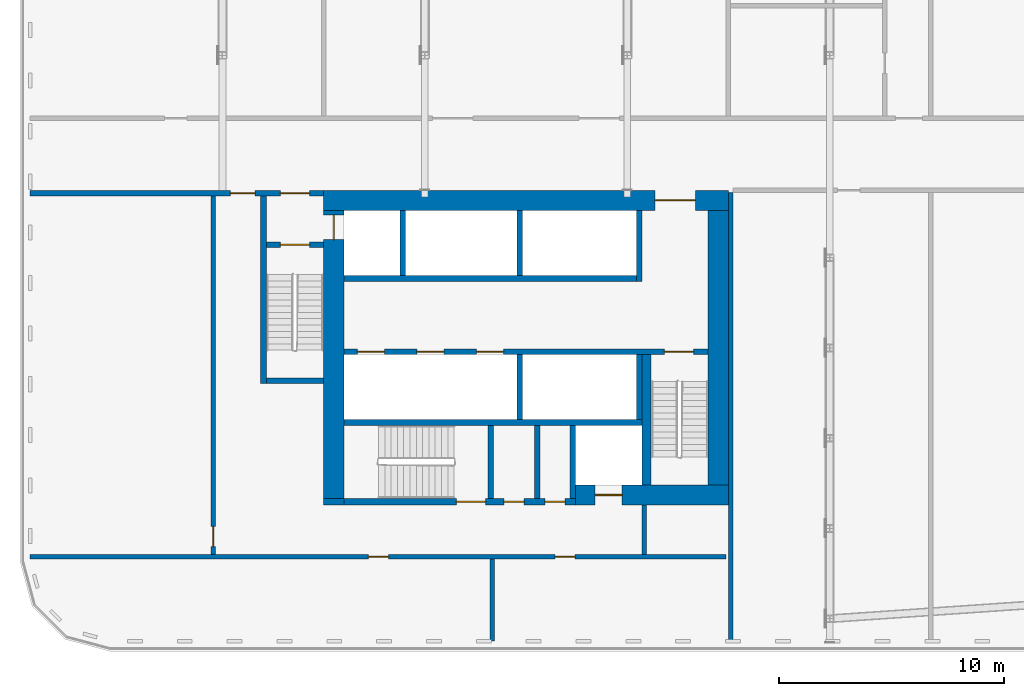
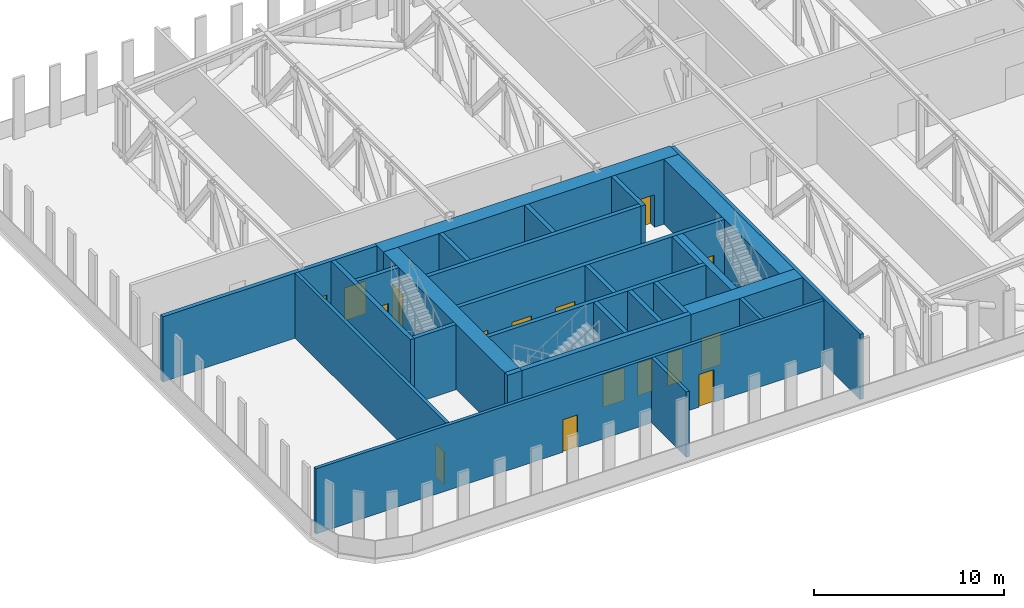
# One storey, part 6 of 22: 27 walls, 16 doors, 16 openings.
"""IFC4 building model written with IfcOpenShell, lengths in metres."""

from ifc_helpers import new_model, si_unit, direction, frame, frame_2d, origin, place, context, subcontext, project, spatial, rectangle, extrude, material, layer, layer_set, type_object, element, fill, save


model = new_model("IFC4")

# Units and contexts
model_context = context("Model", 3, precision=1e-05, world=origin(), true_north=direction((0.0, 1.0)))
body_context = subcontext(model_context, "Body", "Model", "MODEL_VIEW")
ifc_project = project(units=[si_unit("LENGTHUNIT", "METRE"), si_unit("AREAUNIT", "SQUARE_METRE"), si_unit("VOLUMEUNIT", "CUBIC_METRE"), si_unit("PLANEANGLEUNIT", "RADIAN"), si_unit("MASSUNIT", "GRAM", prefix="KILO")], contexts=[model_context])

# Site, building, storey
site_placement = place(None, origin())
site = spatial("IfcSite", under=ifc_project, at=site_placement, CompositionType="ELEMENT")
building_placement = place(site_placement, origin())
building = spatial("IfcBuilding", under=site, at=building_placement, Name="Kajstack Hotel Tower", CompositionType="ELEMENT")
storey_placement = place(building_placement, frame((0.0, 0.0, 99.60009765625)))
storey = spatial("IfcBuildingStorey", under=building, at=storey_placement, Name="L21", CompositionType="ELEMENT", Elevation=99.60009765625)

# Wall, opening, door
ifc_material_1 = material(Name="Concrete C60/75", Category="concrete")
ifc_layer_1 = layer(ifc_material_1, 0.89990234375)
ifc_layer_set_1 = layer_set([ifc_layer_1], Name="Core wall 900")
wall_type_1 = type_object("IfcWallType", Name="Core wall 900", PredefinedType="SHEAR", material=ifc_layer_set_1)
wall_1_placement = place(storey_placement, frame((-31.5, -1.949951171875, 0.0), z_axis=(0.0, 0.0, 1.0), x_axis=(1.0, 0.0, 0.0)))
wall_1 = element("IfcWall", 1, at=wall_1_placement, inside=storey, type_object=wall_type_1, Name="Core wall W RN", PredefinedType="SHEAR", context=body_context, shape_type="SweptSolid", body=[
    extrude(rectangle(XDim=18.0, YDim=0.89990234375, at=frame_2d((9.0, 0.0))), origin(), (0.0, 0.0, 1.0), 4.199951171875),
])
opening_1_placement = place(wall_1_placement, frame((14.72509765625, 0.0, 0.0)))
opening_1 = element("IfcOpeningElement", 2, at=opening_1_placement, cuts=wall_1, Name="Opening 21W06", PredefinedType="OPENING", context=body_context, shape_type="SweptSolid", body=[
    extrude(rectangle(XDim=1.800048828125, YDim=2.10009765625, at=frame_2d((0.89990234375, 1.050048828125))), frame((0.0, 0.4599609375, 0.0), z_axis=(0.0, -1.0, 0.0), x_axis=(1.0, 0.0, 0.0)), (0.0, 0.0, 1.0), 0.919921875),
])
ifc_material_2 = material(Name="Glazed steel frame, fire-rated glass", Category="steel")
door_type_1 = type_object("IfcDoorType", Name="Lobby double door 1800", OperationType="DOUBLE_DOOR_DOUBLE_SWING", PredefinedType="DOOR", material=ifc_material_2)
door_1_placement = place(opening_1_placement, origin())
door_1 = element("IfcDoor", 3, at=door_1_placement, inside=storey, type_object=door_type_1, Name="Door 21W06", OperationType="DOUBLE_DOOR_DOUBLE_SWING", OverallHeight=2.10009765625, OverallWidth=1.800048828125, PredefinedType="DOOR", context=body_context, shape_type="SweptSolid", body=[
    extrude(rectangle(XDim=1.800048828125, YDim=2.10009765625, at=frame_2d((0.89990234375, 1.050048828125))), frame((0.0, 0.02490234375, 0.0), z_axis=(0.0, -1.0, 0.0), x_axis=(1.0, 0.0, 0.0)), (0.0, 0.0, 1.0), 0.050048828125),
])
fill(opening_1, door_1)

wall_2_placement = place(storey_placement, frame((-20.300048828125, -15.050048828125, 0.0), z_axis=(0.0, 0.0, 1.0), x_axis=(1.0, 0.0, 0.0)))
wall_2 = element("IfcWall", 4, at=wall_2_placement, inside=storey, type_object=wall_type_1, Name="Core wall W RS", PredefinedType="SHEAR", context=body_context, shape_type="SweptSolid", body=[
    extrude(rectangle(XDim=6.800048828125, YDim=0.89990234375, at=frame_2d((3.39990234375, 0.0))), origin(), (0.0, 0.0, 1.0), 4.199951171875),
])
opening_2_placement = place(wall_2_placement, frame((0.875, 0.0, 0.0)))
opening_2 = element("IfcOpeningElement", 5, at=opening_2_placement, cuts=wall_2, Name="Opening LD-SV1", PredefinedType="OPENING", context=body_context, shape_type="SweptSolid", body=[
    extrude(rectangle(XDim=1.199951171875, YDim=2.10009765625, at=frame_2d((0.60009765625, 1.050048828125))), frame((0.0, 0.4599609375, 0.0), z_axis=(0.0, -1.0, 0.0), x_axis=(1.0, 0.0, 0.0)), (0.0, 0.0, 1.0), 0.919921875),
])
ifc_material_3 = material(Name="Stainless steel", Category="steel")
door_type_2 = type_object("IfcDoorType", Name="Lift landing door 1200", OperationType="SLIDING_TO_LEFT", PredefinedType="DOOR", material=ifc_material_3)
door_2_placement = place(opening_2_placement, origin())
door_2 = element("IfcDoor", 6, at=door_2_placement, inside=storey, type_object=door_type_2, Name="Landing door SV1", OperationType="SLIDING_TO_LEFT", OverallHeight=2.10009765625, OverallWidth=1.199951171875, PredefinedType="DOOR", context=body_context, shape_type="SweptSolid", body=[
    extrude(rectangle(XDim=1.199951171875, YDim=2.10009765625, at=frame_2d((0.60009765625, 1.050048828125))), frame((0.0, 0.02490234375, 0.0), z_axis=(0.0, -1.0, 0.0), x_axis=(1.0, 0.0, 0.0)), (0.0, 0.0, 1.0), 0.050048828125),
])
fill(opening_2, door_2)

# Wall
wall_3_placement = place(storey_placement, frame((-31.5, -15.35009765625, 0.0), z_axis=(0.0, 0.0, 1.0), x_axis=(1.0, 0.0, 0.0)))
element("IfcWall", 7, at=wall_3_placement, inside=storey, type_object=wall_type_1, Name="Core wall W RSW", PredefinedType="SHEAR", context=body_context, shape_type="SweptSolid", body=[
    extrude(rectangle(XDim=0.89990234375, YDim=0.300048828125, at=frame_2d((0.449951171875, 0.0))), origin(), (0.0, 0.0, 1.0), 4.199951171875),
])

# Wall, opening, door
wall_4_placement = place(storey_placement, frame((-31.050048828125, -15.199951171875, 0.0), z_axis=(0.0, 0.0, 1.0), x_axis=(0.0, 1.0, 0.0)))
wall_4 = element("IfcWall", 8, at=wall_4_placement, inside=storey, type_object=wall_type_1, Name="Core wall W RW", PredefinedType="SHEAR", context=body_context, shape_type="SweptSolid", body=[
    extrude(rectangle(XDim=12.800048828125, YDim=0.89990234375, at=frame_2d((6.39990234375, 0.0))), origin(), (0.0, 0.0, 1.0), 4.199951171875),
])
opening_3_placement = place(wall_4_placement, frame((11.5, 0.0, 0.0)))
opening_3 = element("IfcOpeningElement", 9, at=opening_3_placement, cuts=wall_4, Name="Opening LD-FF1", PredefinedType="OPENING", context=body_context, shape_type="SweptSolid", body=[
    extrude(rectangle(XDim=1.10009765625, YDim=2.10009765625, at=frame_2d((0.550048828125, 1.050048828125))), frame((0.0, 0.4599609375, 0.0), z_axis=(0.0, -1.0, 0.0), x_axis=(1.0, 0.0, 0.0)), (0.0, 0.0, 1.0), 0.919921875),
])
door_type_3 = type_object("IfcDoorType", Name="Fire-fighting lift landing door 1100", OperationType="SLIDING_TO_LEFT", PredefinedType="DOOR", material=ifc_material_3)
door_3_placement = place(opening_3_placement, origin())
door_3 = element("IfcDoor", 10, at=door_3_placement, inside=storey, type_object=door_type_3, Name="Landing door FF1", OperationType="SLIDING_TO_RIGHT", OverallHeight=2.10009765625, OverallWidth=1.10009765625, PredefinedType="DOOR", context=body_context, shape_type="SweptSolid", body=[
    extrude(rectangle(XDim=1.10009765625, YDim=2.10009765625, at=frame_2d((0.550048828125, 1.050048828125))), frame((0.0, 0.02490234375, 0.0), z_axis=(0.0, -1.0, 0.0), x_axis=(1.0, 0.0, 0.0)), (0.0, 0.0, 1.0), 0.050048828125),
])
fill(opening_3, door_3)

# Walls
wall_5_placement = place(storey_placement, frame((-13.949951171875, -14.60009765625, 0.0), z_axis=(0.0, 0.0, 1.0), x_axis=(0.0, 1.0, 0.0)))
element("IfcWall", 11, at=wall_5_placement, inside=storey, type_object=wall_type_1, Name="Core wall W RE", PredefinedType="SHEAR", context=body_context, shape_type="SweptSolid", body=[
    extrude(rectangle(XDim=12.2001953125, YDim=0.89990234375, at=frame_2d((6.10009765625, 0.0))), origin(), (0.0, 0.0, 1.0), 4.199951171875),
])
ifc_material_4 = material(Name="Concrete C50/60", Category="concrete")
ifc_layer_2 = layer(ifc_material_4, 0.300048828125)
ifc_layer_set_2 = layer_set([ifc_layer_2], Name="Hoistway divider wall 300")
wall_type_2 = type_object("IfcWallType", Name="Hoistway divider wall 300", PredefinedType="SHEAR", material=ifc_layer_set_2)
wall_6_placement = place(storey_placement, frame((-22.77490234375, -5.300048828125, 0.0), z_axis=(0.0, 0.0, 1.0), x_axis=(0.0, 1.0, 0.0)))
element("IfcWall", 12, at=wall_6_placement, inside=storey, type_object=wall_type_2, Name="Core wall W AP2", PredefinedType="SHEAR", context=body_context, shape_type="SweptSolid", body=[
    extrude(rectangle(XDim=2.900146484375, YDim=0.25, at=frame_2d((1.4501953125, 0.0))), origin(), (0.0, 0.0, 1.0), 4.199951171875),
])
wall_7_placement = place(storey_placement, frame((-22.77490234375, -11.699951171875, 0.0), z_axis=(0.0, 0.0, 1.0), x_axis=(0.0, 1.0, 0.0)))
element("IfcWall", 13, at=wall_7_placement, inside=storey, type_object=wall_type_2, Name="Core wall W BP2", PredefinedType="SHEAR", context=body_context, shape_type="SweptSolid", body=[
    extrude(rectangle(XDim=2.89990234375, YDim=0.25, at=frame_2d((1.449951171875, 0.0))), origin(), (0.0, 0.0, 1.0), 4.199951171875),
])
ifc_material_5 = material(Name="Gypsum board on steel studs, mineral wool", Category="steel")
ifc_layer_3 = layer(ifc_material_5, 0.199951171875)
ifc_layer_set_3 = layer_set([ifc_layer_3], Name="Public partition 200")
wall_type_3 = type_object("IfcWallType", Name="Public partition 200", PredefinedType="PARTITIONING", material=ifc_layer_set_3)
wall_8_placement = place(storey_placement, frame((-13.39990234375, -21.550048828125, 0.0), z_axis=(0.0, 0.0, 1.0), x_axis=(0.0, 1.0, 0.0)))
element("IfcWall", 14, at=wall_8_placement, inside=storey, type_object=wall_type_3, Name="Partition SEW", PredefinedType="PARTITIONING", context=body_context, shape_type="SweptSolid", body=[
    extrude(rectangle(XDim=19.949951171875, YDim=0.199951171875, at=frame_2d((9.97509765625, 0.0))), origin(), (0.0, 0.0, 1.0), 4.199951171875),
])
ifc_material_6 = material(Name="Concrete block masonry", Category="masonry")
ifc_layer_4 = layer(ifc_material_6, 0.25)
ifc_layer_set_4 = layer_set([ifc_layer_4], Name="Riser partition 250")
wall_type_4 = type_object("IfcWallType", Name="Riser partition 250", PredefinedType="PARTITIONING", material=ifc_layer_set_4)
wall_9_placement = place(storey_placement, frame((-22.0, -15.199951171875, 0.0), z_axis=(0.0, 0.0, 1.0), x_axis=(0.0, 1.0, 0.0)))
element("IfcWall", 15, at=wall_9_placement, inside=storey, type_object=wall_type_4, Name="Partition W SZ0", PredefinedType="PARTITIONING", context=body_context, shape_type="SweptSolid", body=[
    extrude(rectangle(XDim=3.25, YDim=0.25, at=frame_2d((1.625, 0.0))), origin(), (0.0, 0.0, 1.0), 4.199951171875),
])

# Wall, openings, doors
ifc_layer_5 = layer(ifc_material_5, 0.199951171875)
ifc_layer_set_5 = layer_set([ifc_layer_5], Name="Service partition 200")
wall_type_5 = type_object("IfcWallType", Name="Service partition 200", PredefinedType="PARTITIONING", material=ifc_layer_set_5)
wall_10_placement = place(storey_placement, frame((-44.550048828125, -1.625, 0.0), z_axis=(0.0, 0.0, 1.0), x_axis=(1.0, 0.0, 0.0)))
wall_10 = element("IfcWall", 16, at=wall_10_placement, inside=storey, type_object=wall_type_5, Name="Partition W SN", PredefinedType="PARTITIONING", context=body_context, shape_type="SweptSolid", body=[
    extrude(rectangle(XDim=13.050048828125, YDim=0.25, at=frame_2d((6.52490234375, 0.0))), origin(), (0.0, 0.0, 1.0), 4.199951171875),
])
opening_4_placement = place(wall_10_placement, frame((11.125, 0.0, 0.0)))
opening_4 = element("IfcOpeningElement", 17, at=opening_4_placement, cuts=wall_10, Name="Opening 21W07", PredefinedType="OPENING", context=body_context, shape_type="SweptSolid", body=[
    extrude(rectangle(XDim=1.300048828125, YDim=2.10009765625, at=frame_2d((0.64990234375, 1.050048828125))), frame((0.0, 0.135009765625, 0.0), z_axis=(0.0, -1.0, 0.0), x_axis=(1.0, 0.0, 0.0)), (0.0, 0.0, 1.0), 0.27001953125),
])
opening_5_placement = place(wall_10_placement, frame((8.89990234375, 0.0, 0.0)))
opening_5 = element("IfcOpeningElement", 18, at=opening_5_placement, cuts=wall_10, Name="Opening 21W09", PredefinedType="OPENING", context=body_context, shape_type="SweptSolid", body=[
    extrude(rectangle(XDim=1.10009765625, YDim=2.10009765625, at=frame_2d((0.550048828125, 1.050048828125))), frame((0.0, 0.135009765625, 0.0), z_axis=(0.0, -1.0, 0.0), x_axis=(1.0, 0.0, 0.0)), (0.0, 0.0, 1.0), 0.27001953125),
])
ifc_material_7 = material(Name="Steel leaf, fire-rated", Category="steel")
door_type_4 = type_object("IfcDoorType", Name="Fire lobby door 1300", OperationType="SINGLE_SWING_LEFT", PredefinedType="DOOR", material=ifc_material_7)
door_4_placement = place(opening_4_placement, origin())
door_4 = element("IfcDoor", 19, at=door_4_placement, inside=storey, type_object=door_type_4, Name="Door 21W07", OperationType="SINGLE_SWING_RIGHT", OverallHeight=2.10009765625, OverallWidth=1.300048828125, PredefinedType="DOOR", context=body_context, shape_type="SweptSolid", body=[
    extrude(rectangle(XDim=1.300048828125, YDim=2.10009765625, at=frame_2d((0.64990234375, 1.050048828125))), frame((0.0, 0.02490234375, 0.0), z_axis=(0.0, -1.0, 0.0), x_axis=(1.0, 0.0, 0.0)), (0.0, 0.0, 1.0), 0.050048828125),
])
fill(opening_4, door_4)
ifc_material_8 = material(Name="Timber leaf, fire-rated", Category="wood")
door_type_5 = type_object("IfcDoorType", Name="Service corridor door 1100", OperationType="SINGLE_SWING_LEFT", PredefinedType="DOOR", material=ifc_material_8)
door_5_placement = place(opening_5_placement, origin())
door_5 = element("IfcDoor", 20, at=door_5_placement, inside=storey, type_object=door_type_5, Name="Door 21W09", OperationType="SINGLE_SWING_RIGHT", OverallHeight=2.10009765625, OverallWidth=1.10009765625, PredefinedType="DOOR", context=body_context, shape_type="SweptSolid", body=[
    extrude(rectangle(XDim=1.10009765625, YDim=2.10009765625, at=frame_2d((0.550048828125, 1.050048828125))), frame((0.0, 0.02490234375, 0.0), z_axis=(0.0, -1.0, 0.0), x_axis=(1.0, 0.0, 0.0)), (0.0, 0.0, 1.0), 0.050048828125),
])
fill(opening_5, door_5)

# Wall
wall_11_placement = place(storey_placement, frame((-17.25, -17.699951171875, 0.0), z_axis=(0.0, 0.0, 1.0), x_axis=(0.0, 1.0, 0.0)))
element("IfcWall", 21, at=wall_11_placement, inside=storey, type_object=wall_type_5, Name="Partition W SCE", PredefinedType="PARTITIONING", context=body_context, shape_type="SweptSolid", body=[
    extrude(rectangle(XDim=2.199951171875, YDim=0.199951171875, at=frame_2d((1.10009765625, 0.0))), origin(), (0.0, 0.0, 1.0), 4.199951171875),
])

# Wall, opening, door
wall_12_placement = place(storey_placement, frame((-36.39990234375, -17.699951171875, 0.0), z_axis=(0.0, 0.0, 1.0), x_axis=(0.0, 1.0, 0.0)))
wall_12 = element("IfcWall", 22, at=wall_12_placement, inside=storey, type_object=wall_type_5, Name="Partition W WRE", PredefinedType="PARTITIONING", context=body_context, shape_type="SweptSolid", body=[
    extrude(rectangle(XDim=15.949951171875, YDim=0.199951171875, at=frame_2d((7.97509765625, 0.0))), origin(), (0.0, 0.0, 1.0), 4.199951171875),
])
opening_6_placement = place(wall_12_placement, frame((0.35009765625, 0.0, 0.0)))
opening_6 = element("IfcOpeningElement", 23, at=opening_6_placement, cuts=wall_12, Name="Opening 21W16", PredefinedType="OPENING", context=body_context, shape_type="SweptSolid", body=[
    extrude(rectangle(XDim=0.89990234375, YDim=2.10009765625, at=frame_2d((0.449951171875, 1.050048828125))), frame((0.0, 0.10986328125, 0.0), z_axis=(0.0, -1.0, 0.0), x_axis=(1.0, 0.0, 0.0)), (0.0, 0.0, 1.0), 0.219970703125),
])
door_type_6 = type_object("IfcDoorType", Name="Service door 900", OperationType="SINGLE_SWING_LEFT", PredefinedType="DOOR", material=ifc_material_8)
door_6_placement = place(opening_6_placement, origin())
door_6 = element("IfcDoor", 24, at=door_6_placement, inside=storey, type_object=door_type_6, Name="Door 21W16", OperationType="SINGLE_SWING_LEFT", OverallHeight=2.10009765625, OverallWidth=0.89990234375, PredefinedType="DOOR", context=body_context, shape_type="SweptSolid", body=[
    extrude(rectangle(XDim=0.89990234375, YDim=2.10009765625, at=frame_2d((0.449951171875, 1.050048828125))), frame((0.0, 0.02490234375, 0.0), z_axis=(0.0, -1.0, 0.0), x_axis=(1.0, 0.0, 0.0)), (0.0, 0.0, 1.0), 0.050048828125),
])
fill(opening_6, door_6)

# Wall, openings, doors
wall_13_placement = place(storey_placement, frame((-44.550048828125, -17.800048828125, 0.0), z_axis=(0.0, 0.0, 1.0), x_axis=(1.0, 0.0, 0.0)))
wall_13 = element("IfcWall", 25, at=wall_13_placement, inside=storey, type_object=wall_type_5, Name="Partition W SLN", PredefinedType="PARTITIONING", context=body_context, shape_type="SweptSolid", body=[
    extrude(rectangle(XDim=30.949951171875, YDim=0.199951171875, at=frame_2d((15.47509765625, 0.0))), origin(), (0.0, 0.0, 1.0), 4.199951171875),
])
opening_7_placement = place(wall_13_placement, frame((15.03759765625, 0.0, 0.0)))
opening_7 = element("IfcOpeningElement", 26, at=opening_7_placement, cuts=wall_13, Name="Opening 21W14", PredefinedType="OPENING", context=body_context, shape_type="SweptSolid", body=[
    extrude(rectangle(XDim=0.89990234375, YDim=2.10009765625, at=frame_2d((0.449951171875, 1.050048828125))), frame((0.0, 0.10986328125, 0.0), z_axis=(0.0, -1.0, 0.0), x_axis=(1.0, 0.0, 0.0)), (0.0, 0.0, 1.0), 0.219970703125),
])
opening_8_placement = place(wall_13_placement, frame((23.33740234375, 0.0, 0.0)))
opening_8 = element("IfcOpeningElement", 27, at=opening_8_placement, cuts=wall_13, Name="Opening 21W15", PredefinedType="OPENING", context=body_context, shape_type="SweptSolid", body=[
    extrude(rectangle(XDim=0.89990234375, YDim=2.10009765625, at=frame_2d((0.449951171875, 1.050048828125))), frame((0.0, 0.10986328125, 0.0), z_axis=(0.0, -1.0, 0.0), x_axis=(1.0, 0.0, 0.0)), (0.0, 0.0, 1.0), 0.219970703125),
])
door_7_placement = place(opening_7_placement, origin())
door_7 = element("IfcDoor", 28, at=door_7_placement, inside=storey, type_object=door_type_6, Name="Door 21W14", OperationType="SINGLE_SWING_RIGHT", OverallHeight=2.10009765625, OverallWidth=0.89990234375, PredefinedType="DOOR", context=body_context, shape_type="SweptSolid", body=[
    extrude(rectangle(XDim=0.89990234375, YDim=2.10009765625, at=frame_2d((0.449951171875, 1.050048828125))), frame((0.0, 0.02490234375, 0.0), z_axis=(0.0, -1.0, 0.0), x_axis=(1.0, 0.0, 0.0)), (0.0, 0.0, 1.0), 0.050048828125),
])
fill(opening_7, door_7)
door_8_placement = place(opening_8_placement, origin())
door_8 = element("IfcDoor", 29, at=door_8_placement, inside=storey, type_object=door_type_6, Name="Door 21W15", OperationType="SINGLE_SWING_RIGHT", OverallHeight=2.10009765625, OverallWidth=0.89990234375, PredefinedType="DOOR", context=body_context, shape_type="SweptSolid", body=[
    extrude(rectangle(XDim=0.89990234375, YDim=2.10009765625, at=frame_2d((0.449951171875, 1.050048828125))), frame((0.0, 0.02490234375, 0.0), z_axis=(0.0, -1.0, 0.0), x_axis=(1.0, 0.0, 0.0)), (0.0, 0.0, 1.0), 0.050048828125),
])
fill(opening_8, door_8)

# Wall
wall_14_placement = place(storey_placement, frame((-24.0, -21.550048828125, 0.0), z_axis=(0.0, 0.0, 1.0), x_axis=(0.0, 1.0, 0.0)))
element("IfcWall", 30, at=wall_14_placement, inside=storey, type_object=wall_type_5, Name="Partition W SLP0", PredefinedType="PARTITIONING", context=body_context, shape_type="SweptSolid", body=[
    extrude(rectangle(XDim=3.650146484375, YDim=0.199951171875, at=frame_2d((1.8251953125, 0.0))), origin(), (0.0, 0.0, 1.0), 4.199951171875),
])

# Wall, openings, doors
ifc_layer_6 = layer(ifc_material_4, 0.25)
ifc_layer_set_6 = layer_set([ifc_layer_6], Name="Shaft wall 250")
wall_type_6 = type_object("IfcWallType", Name="Shaft wall 250", PredefinedType="SHEAR", material=ifc_layer_set_6)
wall_15_placement = place(storey_placement, frame((-30.60009765625, -15.35009765625, 0.0), z_axis=(0.0, 0.0, 1.0), x_axis=(1.0, 0.0, 0.0)))
wall_15 = element("IfcWall", 31, at=wall_15_placement, inside=storey, type_object=wall_type_6, Name="Core wall W RSS", PredefinedType="SHEAR", context=body_context, shape_type="SweptSolid", body=[
    extrude(rectangle(XDim=10.300048828125, YDim=0.300048828125, at=frame_2d((5.14990234375, 0.0))), origin(), (0.0, 0.0, 1.0), 4.199951171875),
])
opening_9_placement = place(wall_15_placement, frame((5.0, 0.0, 0.0)))
opening_9 = element("IfcOpeningElement", 32, at=opening_9_placement, cuts=wall_15, Name="Opening 21W11", PredefinedType="OPENING", context=body_context, shape_type="SweptSolid", body=[
    extrude(rectangle(XDim=1.300048828125, YDim=2.10009765625, at=frame_2d((0.64990234375, 1.050048828125))), frame((0.0, 0.159912109375, 0.0), z_axis=(0.0, -1.0, 0.0), x_axis=(1.0, 0.0, 0.0)), (0.0, 0.0, 1.0), 0.320068359375),
])
opening_10_placement = place(wall_15_placement, frame((7.112548828125, 0.0, 0.0)))
opening_10 = element("IfcOpeningElement", 33, at=opening_10_placement, cuts=wall_15, Name="Opening 21W12", PredefinedType="OPENING", context=body_context, shape_type="SweptSolid", body=[
    extrude(rectangle(XDim=0.89990234375, YDim=2.10009765625, at=frame_2d((0.449951171875, 1.050048828125))), frame((0.0, 0.159912109375, 0.0), z_axis=(0.0, -1.0, 0.0), x_axis=(1.0, 0.0, 0.0)), (0.0, 0.0, 1.0), 0.320068359375),
])
opening_11_placement = place(wall_15_placement, frame((8.9375, 0.0, 0.0)))
opening_11 = element("IfcOpeningElement", 34, at=opening_11_placement, cuts=wall_15, Name="Opening 21W13", PredefinedType="OPENING", context=body_context, shape_type="SweptSolid", body=[
    extrude(rectangle(XDim=0.89990234375, YDim=2.10009765625, at=frame_2d((0.449951171875, 1.050048828125))), frame((0.0, 0.159912109375, 0.0), z_axis=(0.0, -1.0, 0.0), x_axis=(1.0, 0.0, 0.0)), (0.0, 0.0, 1.0), 0.320068359375),
])
door_9_placement = place(opening_10_placement, origin())
door_9 = element("IfcDoor", 35, at=door_9_placement, inside=storey, type_object=door_type_6, Name="Door 21W12", OperationType="SINGLE_SWING_LEFT", OverallHeight=2.10009765625, OverallWidth=0.89990234375, PredefinedType="DOOR", context=body_context, shape_type="SweptSolid", body=[
    extrude(rectangle(XDim=0.89990234375, YDim=2.10009765625, at=frame_2d((0.449951171875, 1.050048828125))), frame((0.0, 0.02490234375, 0.0), z_axis=(0.0, -1.0, 0.0), x_axis=(1.0, 0.0, 0.0)), (0.0, 0.0, 1.0), 0.050048828125),
])
fill(opening_10, door_9)
door_10_placement = place(opening_11_placement, origin())
door_10 = element("IfcDoor", 36, at=door_10_placement, inside=storey, type_object=door_type_6, Name="Door 21W13", OperationType="SINGLE_SWING_LEFT", OverallHeight=2.10009765625, OverallWidth=0.89990234375, PredefinedType="DOOR", context=body_context, shape_type="SweptSolid", body=[
    extrude(rectangle(XDim=0.89990234375, YDim=2.10009765625, at=frame_2d((0.449951171875, 1.050048828125))), frame((0.0, 0.02490234375, 0.0), z_axis=(0.0, -1.0, 0.0), x_axis=(1.0, 0.0, 0.0)), (0.0, 0.0, 1.0), 0.050048828125),
])
fill(opening_11, door_10)
door_type_7 = type_object("IfcDoorType", Name="Stair door 1300", OperationType="SINGLE_SWING_LEFT", PredefinedType="DOOR", material=ifc_material_7)
door_11_placement = place(opening_9_placement, origin())
door_11 = element("IfcDoor", 37, at=door_11_placement, inside=storey, type_object=door_type_7, Name="Door 21W11", OperationType="SINGLE_SWING_RIGHT", OverallHeight=2.10009765625, OverallWidth=1.300048828125, PredefinedType="DOOR", context=body_context, shape_type="SweptSolid", body=[
    extrude(rectangle(XDim=1.300048828125, YDim=2.10009765625, at=frame_2d((0.64990234375, 1.050048828125))), frame((0.0, 0.02490234375, 0.0), z_axis=(0.0, -1.0, 0.0), x_axis=(1.0, 0.0, 0.0)), (0.0, 0.0, 1.0), 0.050048828125),
])
fill(opening_9, door_11)

# Walls
wall_16_placement = place(storey_placement, frame((-30.60009765625, -5.425048828125, 0.0), z_axis=(0.0, 0.0, 1.0), x_axis=(1.0, 0.0, 0.0)))
element("IfcWall", 38, at=wall_16_placement, inside=storey, type_object=wall_type_6, Name="Core wall W FA", PredefinedType="SHEAR", context=body_context, shape_type="SweptSolid", body=[
    extrude(rectangle(XDim=13.0, YDim=0.25, at=frame_2d((6.5, 0.0))), origin(), (0.0, 0.0, 1.0), 4.199951171875),
])
wall_17_placement = place(storey_placement, frame((-17.47509765625, -5.550048828125, 0.0), z_axis=(0.0, 0.0, 1.0), x_axis=(0.0, 1.0, 0.0)))
element("IfcWall", 39, at=wall_17_placement, inside=storey, type_object=wall_type_6, Name="Core wall W AE", PredefinedType="SHEAR", context=body_context, shape_type="SweptSolid", body=[
    extrude(rectangle(XDim=3.150146484375, YDim=0.25, at=frame_2d((1.5751953125, 0.0))), origin(), (0.0, 0.0, 1.0), 4.199951171875),
])
wall_18_placement = place(storey_placement, frame((-27.97509765625, -5.300048828125, 0.0), z_axis=(0.0, 0.0, 1.0), x_axis=(0.0, 1.0, 0.0)))
element("IfcWall", 40, at=wall_18_placement, inside=storey, type_object=wall_type_6, Name="Core wall W AP0", PredefinedType="SHEAR", context=body_context, shape_type="SweptSolid", body=[
    extrude(rectangle(XDim=2.900146484375, YDim=0.25, at=frame_2d((1.4501953125, 0.0))), origin(), (0.0, 0.0, 1.0), 4.199951171875),
])

# Wall, openings, doors
wall_19_placement = place(storey_placement, frame((-30.60009765625, -8.675048828125, 0.0), z_axis=(0.0, 0.0, 1.0), x_axis=(1.0, 0.0, 0.0)))
wall_19 = element("IfcWall", 41, at=wall_19_placement, inside=storey, type_object=wall_type_6, Name="Core wall W FB", PredefinedType="SHEAR", context=body_context, shape_type="SweptSolid", body=[
    extrude(rectangle(XDim=16.2001953125, YDim=0.25, at=frame_2d((8.10009765625, 0.0))), origin(), (0.0, 0.0, 1.0), 4.199951171875),
])
opening_12_placement = place(wall_19_placement, frame((0.60009765625, 0.0, 0.0)))
opening_12 = element("IfcOpeningElement", 42, at=opening_12_placement, cuts=wall_19, Name="Opening LD-LR1", PredefinedType="OPENING", context=body_context, shape_type="SweptSolid", body=[
    extrude(rectangle(XDim=1.199951171875, YDim=2.10009765625, at=frame_2d((0.60009765625, 1.050048828125))), frame((0.0, 0.135009765625, 0.0), z_axis=(0.0, -1.0, 0.0), x_axis=(1.0, 0.0, 0.0)), (0.0, 0.0, 1.0), 0.27001953125),
])
opening_13_placement = place(wall_19_placement, frame((3.25, 0.0, 0.0)))
opening_13 = element("IfcOpeningElement", 43, at=opening_13_placement, cuts=wall_19, Name="Opening LD-LR2", PredefinedType="OPENING", context=body_context, shape_type="SweptSolid", body=[
    extrude(rectangle(XDim=1.199951171875, YDim=2.10009765625, at=frame_2d((0.60009765625, 1.050048828125))), frame((0.0, 0.135009765625, 0.0), z_axis=(0.0, -1.0, 0.0), x_axis=(1.0, 0.0, 0.0)), (0.0, 0.0, 1.0), 0.27001953125),
])
opening_14_placement = place(wall_19_placement, frame((5.89990234375, 0.0, 0.0)))
opening_14 = element("IfcOpeningElement", 44, at=opening_14_placement, cuts=wall_19, Name="Opening LD-LR3", PredefinedType="OPENING", context=body_context, shape_type="SweptSolid", body=[
    extrude(rectangle(XDim=1.199951171875, YDim=2.10009765625, at=frame_2d((0.60009765625, 1.050048828125))), frame((0.0, 0.135009765625, 0.0), z_axis=(0.0, -1.0, 0.0), x_axis=(1.0, 0.0, 0.0)), (0.0, 0.0, 1.0), 0.27001953125),
])
opening_15_placement = place(wall_19_placement, frame((14.25, 0.0, 0.0)))
opening_15 = element("IfcOpeningElement", 45, at=opening_15_placement, cuts=wall_19, Name="Opening 21W10", PredefinedType="OPENING", context=body_context, shape_type="SweptSolid", body=[
    extrude(rectangle(XDim=1.300048828125, YDim=2.10009765625, at=frame_2d((0.64990234375, 1.050048828125))), frame((0.0, 0.135009765625, 0.0), z_axis=(0.0, -1.0, 0.0), x_axis=(1.0, 0.0, 0.0)), (0.0, 0.0, 1.0), 0.27001953125),
])
door_12_placement = place(opening_12_placement, origin())
door_12 = element("IfcDoor", 46, at=door_12_placement, inside=storey, type_object=door_type_2, Name="Landing door LR1", OperationType="SLIDING_TO_LEFT", OverallHeight=2.10009765625, OverallWidth=1.199951171875, PredefinedType="DOOR", context=body_context, shape_type="SweptSolid", body=[
    extrude(rectangle(XDim=1.199951171875, YDim=2.10009765625, at=frame_2d((0.60009765625, 1.050048828125))), frame((0.0, 0.02490234375, 0.0), z_axis=(0.0, -1.0, 0.0), x_axis=(1.0, 0.0, 0.0)), (0.0, 0.0, 1.0), 0.050048828125),
])
fill(opening_12, door_12)
door_13_placement = place(opening_13_placement, origin())
door_13 = element("IfcDoor", 47, at=door_13_placement, inside=storey, type_object=door_type_2, Name="Landing door LR2", OperationType="SLIDING_TO_RIGHT", OverallHeight=2.10009765625, OverallWidth=1.199951171875, PredefinedType="DOOR", context=body_context, shape_type="SweptSolid", body=[
    extrude(rectangle(XDim=1.199951171875, YDim=2.10009765625, at=frame_2d((0.60009765625, 1.050048828125))), frame((0.0, 0.02490234375, 0.0), z_axis=(0.0, -1.0, 0.0), x_axis=(1.0, 0.0, 0.0)), (0.0, 0.0, 1.0), 0.050048828125),
])
fill(opening_13, door_13)
door_14_placement = place(opening_14_placement, origin())
door_14 = element("IfcDoor", 48, at=door_14_placement, inside=storey, type_object=door_type_2, Name="Landing door LR3", OperationType="SLIDING_TO_RIGHT", OverallHeight=2.10009765625, OverallWidth=1.199951171875, PredefinedType="DOOR", context=body_context, shape_type="SweptSolid", body=[
    extrude(rectangle(XDim=1.199951171875, YDim=2.10009765625, at=frame_2d((0.60009765625, 1.050048828125))), frame((0.0, 0.02490234375, 0.0), z_axis=(0.0, -1.0, 0.0), x_axis=(1.0, 0.0, 0.0)), (0.0, 0.0, 1.0), 0.050048828125),
])
fill(opening_14, door_14)
door_15_placement = place(opening_15_placement, origin())
door_15 = element("IfcDoor", 49, at=door_15_placement, inside=storey, type_object=door_type_7, Name="Door 21W10", OperationType="SINGLE_SWING_RIGHT", OverallHeight=2.10009765625, OverallWidth=1.300048828125, PredefinedType="DOOR", context=body_context, shape_type="SweptSolid", body=[
    extrude(rectangle(XDim=1.300048828125, YDim=2.10009765625, at=frame_2d((0.64990234375, 1.050048828125))), frame((0.0, 0.02490234375, 0.0), z_axis=(0.0, -1.0, 0.0), x_axis=(1.0, 0.0, 0.0)), (0.0, 0.0, 1.0), 0.050048828125),
])
fill(opening_15, door_15)

# Walls
wall_20_placement = place(storey_placement, frame((-30.60009765625, -11.824951171875, 0.0), z_axis=(0.0, 0.0, 1.0), x_axis=(1.0, 0.0, 0.0)))
element("IfcWall", 50, at=wall_20_placement, inside=storey, type_object=wall_type_6, Name="Core wall W RB", PredefinedType="SHEAR", context=body_context, shape_type="SweptSolid", body=[
    extrude(rectangle(XDim=13.25, YDim=0.25, at=frame_2d((6.625, 0.0))), origin(), (0.0, 0.0, 1.0), 4.199951171875),
])
wall_21_placement = place(storey_placement, frame((-17.47509765625, -11.699951171875, 0.0), z_axis=(0.0, 0.0, 1.0), x_axis=(0.0, 1.0, 0.0)))
element("IfcWall", 51, at=wall_21_placement, inside=storey, type_object=wall_type_6, Name="Core wall W BE", PredefinedType="SHEAR", context=body_context, shape_type="SweptSolid", body=[
    extrude(rectangle(XDim=2.89990234375, YDim=0.25, at=frame_2d((1.449951171875, 0.0))), origin(), (0.0, 0.0, 1.0), 4.199951171875),
])
wall_22_placement = place(storey_placement, frame((-20.425048828125, -15.199951171875, 0.0), z_axis=(0.0, 0.0, 1.0), x_axis=(0.0, 1.0, 0.0)))
element("IfcWall", 52, at=wall_22_placement, inside=storey, type_object=wall_type_6, Name="Core wall W SVW", PredefinedType="SHEAR", context=body_context, shape_type="SweptSolid", body=[
    extrude(rectangle(XDim=3.25, YDim=0.25, at=frame_2d((1.625, 0.0))), origin(), (0.0, 0.0, 1.0), 4.199951171875),
])

# Wall, opening, door
ifc_material_9 = material(Name="Concrete C40/50", Category="concrete")
ifc_layer_7 = layer(ifc_material_9, 0.25)
ifc_layer_set_7 = layer_set([ifc_layer_7], Name="Stair enclosure wall 250")
wall_type_7 = type_object("IfcWallType", Name="Stair enclosure wall 250", PredefinedType="SHEAR", material=ifc_layer_set_7)
wall_23_placement = place(storey_placement, frame((-34.050048828125, -3.925048828125, 0.0), z_axis=(0.0, 0.0, 1.0), x_axis=(1.0, 0.0, 0.0)))
wall_23 = element("IfcWall", 53, at=wall_23_placement, inside=storey, type_object=wall_type_7, Name="Core wall W W1N", PredefinedType="SHEAR", context=body_context, shape_type="SweptSolid", body=[
    extrude(rectangle(XDim=2.550048828125, YDim=0.25, at=frame_2d((1.27490234375, 0.0))), origin(), (0.0, 0.0, 1.0), 4.199951171875),
])
opening_16_placement = place(wall_23_placement, frame((0.625, 0.0, 0.0)))
opening_16 = element("IfcOpeningElement", 54, at=opening_16_placement, cuts=wall_23, Name="Opening 21W08", PredefinedType="OPENING", context=body_context, shape_type="SweptSolid", body=[
    extrude(rectangle(XDim=1.300048828125, YDim=2.10009765625, at=frame_2d((0.64990234375, 1.050048828125))), frame((0.0, 0.135009765625, 0.0), z_axis=(0.0, -1.0, 0.0), x_axis=(1.0, 0.0, 0.0)), (0.0, 0.0, 1.0), 0.27001953125),
])
door_16_placement = place(opening_16_placement, origin())
door_16 = element("IfcDoor", 55, at=door_16_placement, inside=storey, type_object=door_type_7, Name="Door 21W08", OperationType="SINGLE_SWING_RIGHT", OverallHeight=2.10009765625, OverallWidth=1.300048828125, PredefinedType="DOOR", context=body_context, shape_type="SweptSolid", body=[
    extrude(rectangle(XDim=1.300048828125, YDim=2.10009765625, at=frame_2d((0.64990234375, 1.050048828125))), frame((0.0, 0.02490234375, 0.0), z_axis=(0.0, -1.0, 0.0), x_axis=(1.0, 0.0, 0.0)), (0.0, 0.0, 1.0), 0.050048828125),
])
fill(opening_16, door_16)

# Walls
wall_24_placement = place(storey_placement, frame((-34.175048828125, -10.10009765625, 0.0), z_axis=(0.0, 0.0, 1.0), x_axis=(0.0, 1.0, 0.0)))
element("IfcWall", 56, at=wall_24_placement, inside=storey, type_object=wall_type_7, Name="Core wall W W1W", PredefinedType="SHEAR", context=body_context, shape_type="SweptSolid", body=[
    extrude(rectangle(XDim=8.35009765625, YDim=0.25, at=frame_2d((4.175048828125, 0.0))), origin(), (0.0, 0.0, 1.0), 4.199951171875),
])
wall_25_placement = place(storey_placement, frame((-34.050048828125, -9.97509765625, 0.0), z_axis=(0.0, 0.0, 1.0), x_axis=(1.0, 0.0, 0.0)))
element("IfcWall", 57, at=wall_25_placement, inside=storey, type_object=wall_type_7, Name="Core wall W W1S", PredefinedType="SHEAR", context=body_context, shape_type="SweptSolid", body=[
    extrude(rectangle(XDim=2.550048828125, YDim=0.25, at=frame_2d((1.27490234375, 0.0))), origin(), (0.0, 0.0, 1.0), 4.199951171875),
])
ifc_layer_8 = layer(ifc_material_4, 0.35009765625)
ifc_layer_set_8 = layer_set([ifc_layer_8], Name="Stair enclosure wall 350")
wall_type_8 = type_object("IfcWallType", Name="Stair enclosure wall 350", PredefinedType="SHEAR", material=ifc_layer_set_8)
wall_26_placement = place(storey_placement, frame((-24.074951171875, -15.199951171875, 0.0), z_axis=(0.0, 0.0, 1.0), x_axis=(0.0, 1.0, 0.0)))
element("IfcWall", 58, at=wall_26_placement, inside=storey, type_object=wall_type_8, Name="Core wall W W3E", PredefinedType="SHEAR", context=body_context, shape_type="SweptSolid", body=[
    extrude(rectangle(XDim=3.25, YDim=0.25, at=frame_2d((1.625, 0.0))), origin(), (0.0, 0.0, 1.0), 4.199951171875),
])
ifc_layer_9 = layer(ifc_material_4, 0.39990234375)
ifc_layer_set_9 = layer_set([ifc_layer_9], Name="Stair wall 400")
wall_type_9 = type_object("IfcWallType", Name="Stair wall 400", PredefinedType="SHEAR", material=ifc_layer_set_9)
wall_27_placement = place(storey_placement, frame((-17.14990234375, -14.60009765625, 0.0), z_axis=(0.0, 0.0, 1.0), x_axis=(0.0, 1.0, 0.0)))
element("IfcWall", 59, at=wall_27_placement, inside=storey, type_object=wall_type_9, Name="Core wall W WW2", PredefinedType="SHEAR", context=body_context, shape_type="SweptSolid", body=[
    extrude(rectangle(XDim=5.800048828125, YDim=0.39990234375, at=frame_2d((2.89990234375, 0.0))), origin(), (0.0, 0.0, 1.0), 4.199951171875),
])

save(model, "model.ifc")
